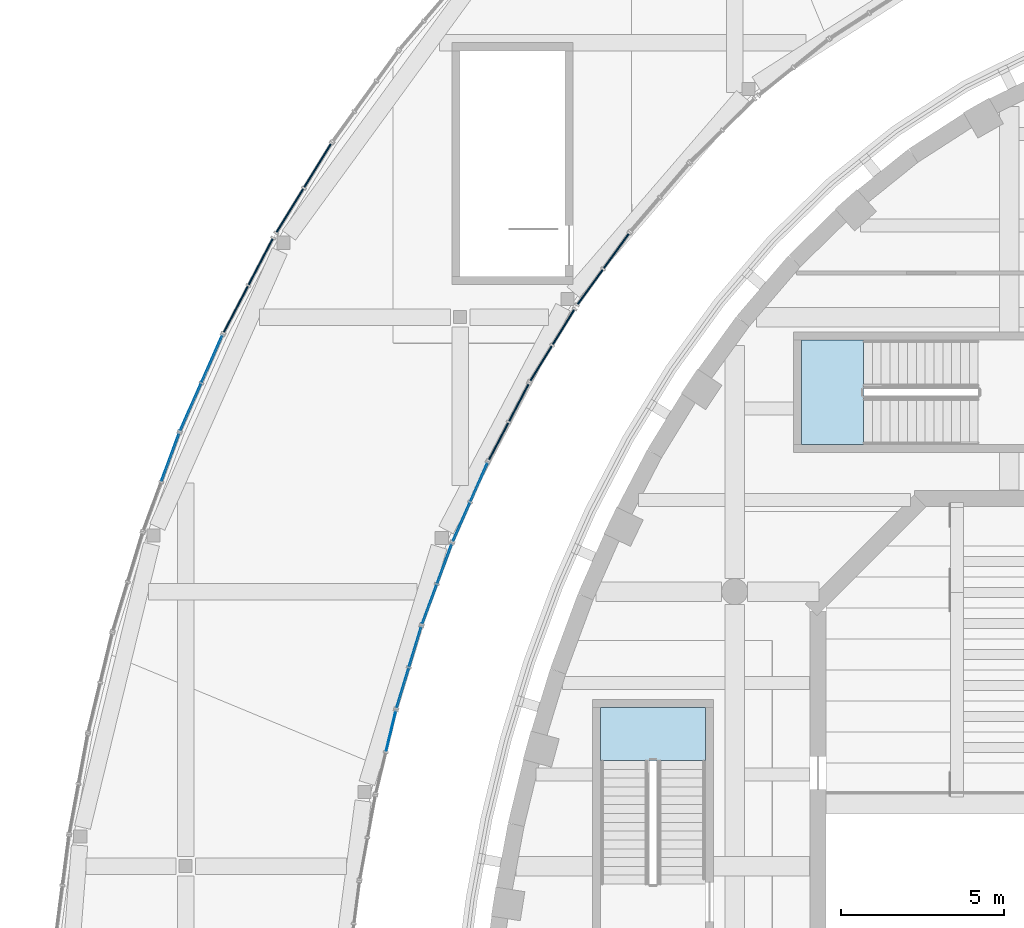
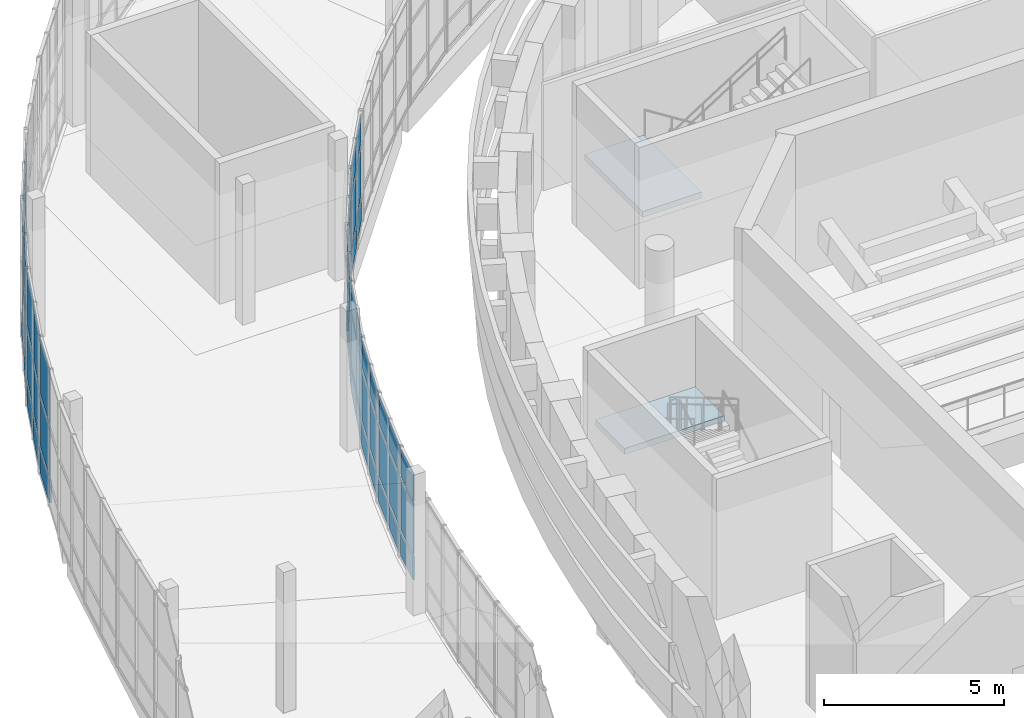
# One storey, part 42 of 103: 60 plates, 2 slabs, 13 elements without a shape of their own.
"""IFC4 building model written with IfcOpenShell, lengths in metres."""

from ifc_helpers import new_model, si_unit, direction, frame, origin, origin_2d, place, context, subcontext, project, spatial, polyline, rectangle, outline, extrude, material, layer, layer_set, type_object, element, aggregate, save


model = new_model("IFC4")

# Units and contexts
model_context = context("Model", 3, precision=1e-05, world=origin(), true_north=direction((0.0, 1.0)))
body_context = subcontext(model_context, "Body", "Model", "MODEL_VIEW")
ifc_project = project(units=[si_unit("LENGTHUNIT", "METRE"), si_unit("AREAUNIT", "SQUARE_METRE"), si_unit("VOLUMEUNIT", "CUBIC_METRE"), si_unit("PLANEANGLEUNIT", "RADIAN"), si_unit("MASSUNIT", "GRAM", prefix="KILO")], contexts=[model_context])

# Site, building, storey
site_placement = place(None, origin())
site = spatial("IfcSite", under=ifc_project, at=site_placement, CompositionType="ELEMENT")
building_placement = place(site_placement, origin())
building = spatial("IfcBuilding", under=site, at=building_placement, Name="Larchfold Concert Hall", CompositionType="ELEMENT")
storey_placement = place(building_placement, frame((0.0, 0.0, 9.60009765625)))
storey = spatial("IfcBuildingStorey", under=building, at=storey_placement, Name="L02", CompositionType="ELEMENT", Elevation=9.60009765625)

# Curtain wall, plates
ifc_material_1 = material(Name="Anodised graphite aluminium curtain wall", Category="aluminium")
ifc_layer_1 = layer(ifc_material_1, 0.14990234375)
ifc_layer_set_1 = layer_set([ifc_layer_1], Name="Anodised graphite aluminium curtain wall")
curtain_wall_type = type_object("IfcCurtainWallType", Name="Curtain wall WG", PredefinedType="NOTDEFINED", material=ifc_layer_set_1)
curtain_wall_1_placement = place(storey_placement, origin())
curtain_wall_1 = element("IfcCurtainWall", 1, at=curtain_wall_1_placement, inside=storey, type_object=curtain_wall_type, Name="Curtain wall CW0228", PredefinedType="NOTDEFINED")
ifc_material_2 = material(Name="Insulated glazing unit, glass", Category="glass")
ifc_layer_2 = layer(ifc_material_2, 0.028076171875)
ifc_layer_set_2 = layer_set([ifc_layer_2], Name="Insulated glazing unit, glass")
plate_type_1 = type_object("IfcPlateType", Name="Glass panel 28", PredefinedType="CURTAIN_PANEL", material=ifc_layer_set_2)
plate_1_placement = place(storey_placement, frame((15.27734375, 97.125, 0.93994140625), z_axis=(0.0, 0.0, 1.0), x_axis=(0.235926027973, 0.97177101692, 0.0)))
plate_1 = element("IfcPlate", 2, at=plate_1_placement, type_object=plate_type_1, Name="CW0228 panel 2.2", PredefinedType="CURTAIN_PANEL", context=body_context, shape_type="SweptSolid", body=[
    extrude(rectangle(XDim=1.24951171875, YDim=0.028076171875, at=origin_2d()), origin(), (0.0, 0.0, 1.0), 1.719970703125),
])
plate_2_placement = place(storey_placement, frame((15.27734375, 97.125, 2.740234375), z_axis=(0.0, 0.0, 1.0), x_axis=(0.235926027973, 0.97177101692, 0.0)))
plate_2 = element("IfcPlate", 3, at=plate_2_placement, type_object=plate_type_1, Name="CW0228 panel 2.3", PredefinedType="CURTAIN_PANEL", context=body_context, shape_type="SweptSolid", body=[
    extrude(rectangle(XDim=1.24951171875, YDim=0.028076171875, at=origin_2d()), origin(), (0.0, 0.0, 1.0), 0.929931640625),
])

curtain_wall_2_placement = place(storey_placement, origin())
curtain_wall_2 = element("IfcCurtainWall", 4, at=curtain_wall_2_placement, inside=storey, type_object=curtain_wall_type, Name="Curtain wall CW0229", PredefinedType="NOTDEFINED")
plate_3_placement = place(storey_placement, frame((15.638671875, 98.447998046875, 0.93994140625), z_axis=(0.0, 0.0, 1.0), x_axis=(0.290561772224, 0.956856236078, 0.0)))
plate_3 = element("IfcPlate", 5, at=plate_3_placement, type_object=plate_type_1, Name="CW0229 panel 1.2", PredefinedType="CURTAIN_PANEL", context=body_context, shape_type="SweptSolid", body=[
    extrude(rectangle(XDim=1.25439453125, YDim=0.028076171875, at=origin_2d()), origin(), (0.0, 0.0, 1.0), 1.719970703125),
])
plate_4_placement = place(storey_placement, frame((15.638671875, 98.447998046875, 2.740234375), z_axis=(0.0, 0.0, 1.0), x_axis=(0.290561772224, 0.956856236078, 0.0)))
plate_4 = element("IfcPlate", 6, at=plate_4_placement, type_object=plate_type_1, Name="CW0229 panel 1.3", PredefinedType="CURTAIN_PANEL", context=body_context, shape_type="SweptSolid", body=[
    extrude(rectangle(XDim=1.25439453125, YDim=0.028076171875, at=origin_2d()), origin(), (0.0, 0.0, 1.0), 0.929931640625),
])
plate_5_placement = place(storey_placement, frame((16.0205078125, 99.705810546875, 0.93994140625), z_axis=(0.0, 0.0, 1.0), x_axis=(0.290561772224, 0.956856236078, 0.0)))
plate_5 = element("IfcPlate", 7, at=plate_5_placement, type_object=plate_type_1, Name="CW0229 panel 2.2", PredefinedType="CURTAIN_PANEL", context=body_context, shape_type="SweptSolid", body=[
    extrude(rectangle(XDim=1.25439453125, YDim=0.028076171875, at=origin_2d()), origin(), (0.0, 0.0, 1.0), 1.719970703125),
])
plate_6_placement = place(storey_placement, frame((16.0205078125, 99.705810546875, 2.740234375), z_axis=(0.0, 0.0, 1.0), x_axis=(0.290561772224, 0.956856236078, 0.0)))
plate_6 = element("IfcPlate", 8, at=plate_6_placement, type_object=plate_type_1, Name="CW0229 panel 2.3", PredefinedType="CURTAIN_PANEL", context=body_context, shape_type="SweptSolid", body=[
    extrude(rectangle(XDim=1.25439453125, YDim=0.028076171875, at=origin_2d()), origin(), (0.0, 0.0, 1.0), 0.929931640625),
])

curtain_wall_3_placement = place(storey_placement, origin())
curtain_wall_3 = element("IfcCurtainWall", 9, at=curtain_wall_3_placement, inside=storey, type_object=curtain_wall_type, Name="Curtain wall CW0230", PredefinedType="NOTDEFINED")
plate_7_placement = place(storey_placement, frame((16.45947265625, 101.010498046875, 0.93994140625), z_axis=(0.0, 0.0, 1.0), x_axis=(0.346631119, 0.938001528432, 0.0)))
plate_7 = element("IfcPlate", 10, at=plate_7_placement, type_object=plate_type_1, Name="CW0230 panel 1.2", PredefinedType="CURTAIN_PANEL", context=body_context, shape_type="SweptSolid", body=[
    extrude(rectangle(XDim=1.26025390625, YDim=0.028076171875, at=origin_2d()), origin(), (0.0, 0.0, 1.0), 1.719970703125),
])
plate_8_placement = place(storey_placement, frame((16.45947265625, 101.010498046875, 2.740234375), z_axis=(0.0, 0.0, 1.0), x_axis=(0.346631119, 0.938001528432, 0.0)))
plate_8 = element("IfcPlate", 11, at=plate_8_placement, type_object=plate_type_1, Name="CW0230 panel 1.3", PredefinedType="CURTAIN_PANEL", context=body_context, shape_type="SweptSolid", body=[
    extrude(rectangle(XDim=1.26025390625, YDim=0.028076171875, at=origin_2d()), origin(), (0.0, 0.0, 1.0), 0.929931640625),
])
plate_9_placement = place(storey_placement, frame((16.9169921875, 102.2490234375, 0.93994140625), z_axis=(0.0, 0.0, 1.0), x_axis=(0.346631119, 0.938001528432, 0.0)))
plate_9 = element("IfcPlate", 12, at=plate_9_placement, type_object=plate_type_1, Name="CW0230 panel 2.2", PredefinedType="CURTAIN_PANEL", context=body_context, shape_type="SweptSolid", body=[
    extrude(rectangle(XDim=1.26025390625, YDim=0.028076171875, at=origin_2d()), origin(), (0.0, 0.0, 1.0), 1.719970703125),
])
plate_10_placement = place(storey_placement, frame((16.9169921875, 102.2490234375, 2.740234375), z_axis=(0.0, 0.0, 1.0), x_axis=(0.346631119, 0.938001528432, 0.0)))
plate_10 = element("IfcPlate", 13, at=plate_10_placement, type_object=plate_type_1, Name="CW0230 panel 2.3", PredefinedType="CURTAIN_PANEL", context=body_context, shape_type="SweptSolid", body=[
    extrude(rectangle(XDim=1.26025390625, YDim=0.028076171875, at=origin_2d()), origin(), (0.0, 0.0, 1.0), 0.929931640625),
])

curtain_wall_4_placement = place(storey_placement, origin())
curtain_wall_4 = element("IfcCurtainWall", 14, at=curtain_wall_4_placement, inside=storey, type_object=curtain_wall_type, Name="Curtain wall CW0231", PredefinedType="NOTDEFINED")
plate_11_placement = place(storey_placement, frame((17.4365234375, 103.53076171875, 0.93994140625), z_axis=(0.0, 0.0, 1.0), x_axis=(0.404034339354, 0.914743818029, 0.0)))
plate_11 = element("IfcPlate", 15, at=plate_11_placement, type_object=plate_type_1, Name="CW0231 panel 1.2", PredefinedType="CURTAIN_PANEL", context=body_context, shape_type="SweptSolid", body=[
    extrude(rectangle(XDim=1.26708984375, YDim=0.028076171875, at=origin_2d()), origin(), (0.0, 0.0, 1.0), 1.719970703125),
])
plate_12_placement = place(storey_placement, frame((17.4365234375, 103.53076171875, 2.740234375), z_axis=(0.0, 0.0, 1.0), x_axis=(0.404034339354, 0.914743818029, 0.0)))
plate_12 = element("IfcPlate", 16, at=plate_12_placement, type_object=plate_type_1, Name="CW0231 panel 1.3", PredefinedType="CURTAIN_PANEL", context=body_context, shape_type="SweptSolid", body=[
    extrude(rectangle(XDim=1.26708984375, YDim=0.028076171875, at=origin_2d()), origin(), (0.0, 0.0, 1.0), 0.929931640625),
])
plate_13_placement = place(storey_placement, frame((17.97265625, 104.74462890625, 0.93994140625), z_axis=(0.0, 0.0, 1.0), x_axis=(0.404034339354, 0.914743818029, 0.0)))
plate_13 = element("IfcPlate", 17, at=plate_13_placement, type_object=plate_type_1, Name="CW0231 panel 2.2", PredefinedType="CURTAIN_PANEL", context=body_context, shape_type="SweptSolid", body=[
    extrude(rectangle(XDim=1.26708984375, YDim=0.028076171875, at=origin_2d()), origin(), (0.0, 0.0, 1.0), 1.719970703125),
])
plate_14_placement = place(storey_placement, frame((17.97265625, 104.74462890625, 2.740234375), z_axis=(0.0, 0.0, 1.0), x_axis=(0.404034339354, 0.914743818029, 0.0)))
plate_14 = element("IfcPlate", 18, at=plate_14_placement, type_object=plate_type_1, Name="CW0231 panel 2.3", PredefinedType="CURTAIN_PANEL", context=body_context, shape_type="SweptSolid", body=[
    extrude(rectangle(XDim=1.26708984375, YDim=0.028076171875, at=origin_2d()), origin(), (0.0, 0.0, 1.0), 0.929931640625),
])

curtain_wall_5_placement = place(storey_placement, origin())
curtain_wall_5 = element("IfcCurtainWall", 19, at=curtain_wall_5_placement, inside=storey, type_object=curtain_wall_type, Name="Curtain wall CW0232", PredefinedType="NOTDEFINED")
plate_15_placement = place(storey_placement, frame((18.576171875, 105.997802734375, 0.93994140625), z_axis=(0.0, 0.0, 1.0), x_axis=(0.46318881793, 0.886259622766, 0.0)))
plate_15 = element("IfcPlate", 20, at=plate_15_placement, type_object=plate_type_1, Name="CW0232 panel 1.2", PredefinedType="CURTAIN_PANEL", context=body_context, shape_type="SweptSolid", body=[
    extrude(rectangle(XDim=1.276123046875, YDim=0.028076171875, at=origin_2d()), origin(), (0.0, 0.0, 1.0), 1.719970703125),
])
plate_16_placement = place(storey_placement, frame((18.576171875, 105.997802734375, 2.740234375), z_axis=(0.0, 0.0, 1.0), x_axis=(0.46318881793, 0.886259622766, 0.0)))
plate_16 = element("IfcPlate", 21, at=plate_16_placement, type_object=plate_type_1, Name="CW0232 panel 1.3", PredefinedType="CURTAIN_PANEL", context=body_context, shape_type="SweptSolid", body=[
    extrude(rectangle(XDim=1.276123046875, YDim=0.028076171875, at=origin_2d()), origin(), (0.0, 0.0, 1.0), 0.929931640625),
])
plate_17_placement = place(storey_placement, frame((19.1953125, 107.18212890625, 0.93994140625), z_axis=(0.0, 0.0, 1.0), x_axis=(0.46318881793, 0.886259622766, 0.0)))
plate_17 = element("IfcPlate", 22, at=plate_17_placement, type_object=plate_type_1, Name="CW0232 panel 2.2", PredefinedType="CURTAIN_PANEL", context=body_context, shape_type="SweptSolid", body=[
    extrude(rectangle(XDim=1.276123046875, YDim=0.028076171875, at=origin_2d()), origin(), (0.0, 0.0, 1.0), 1.719970703125),
])
plate_18_placement = place(storey_placement, frame((19.1953125, 107.18212890625, 2.740234375), z_axis=(0.0, 0.0, 1.0), x_axis=(0.46318881793, 0.886259622766, 0.0)))
plate_18 = element("IfcPlate", 23, at=plate_18_placement, type_object=plate_type_1, Name="CW0232 panel 2.3", PredefinedType="CURTAIN_PANEL", context=body_context, shape_type="SweptSolid", body=[
    extrude(rectangle(XDim=1.276123046875, YDim=0.028076171875, at=origin_2d()), origin(), (0.0, 0.0, 1.0), 0.929931640625),
])

curtain_wall_6_placement = place(storey_placement, origin())
curtain_wall_6 = element("IfcCurtainWall", 24, at=curtain_wall_6_placement, inside=storey, type_object=curtain_wall_type, Name="Curtain wall CW0233", PredefinedType="NOTDEFINED")
plate_19_placement = place(storey_placement, frame((19.87646484375, 108.382568359375, 0.93994140625), z_axis=(0.0, 0.0, 1.0), x_axis=(0.524082134835, 0.851667726257, 0.0)))
plate_19 = element("IfcPlate", 25, at=plate_19_placement, type_object=plate_type_1, Name="CW0233 panel 1.2", PredefinedType="CURTAIN_PANEL", context=body_context, shape_type="SweptSolid", body=[
    extrude(rectangle(XDim=1.246337890625, YDim=0.028076171875, at=origin_2d()), origin(), (0.0, 0.0, 1.0), 1.719970703125),
])
plate_20_placement = place(storey_placement, frame((19.87646484375, 108.382568359375, 2.740234375), z_axis=(0.0, 0.0, 1.0), x_axis=(0.524082134835, 0.851667726257, 0.0)))
plate_20 = element("IfcPlate", 26, at=plate_20_placement, type_object=plate_type_1, Name="CW0233 panel 1.3", PredefinedType="CURTAIN_PANEL", context=body_context, shape_type="SweptSolid", body=[
    extrude(rectangle(XDim=1.246337890625, YDim=0.028076171875, at=origin_2d()), origin(), (0.0, 0.0, 1.0), 0.929931640625),
])
plate_21_placement = place(storey_placement, frame((20.561279296875, 109.4951171875, 0.93994140625), z_axis=(0.0, 0.0, 1.0), x_axis=(0.524082134835, 0.851667726257, 0.0)))
plate_21 = element("IfcPlate", 27, at=plate_21_placement, type_object=plate_type_1, Name="CW0233 panel 2.2", PredefinedType="CURTAIN_PANEL", context=body_context, shape_type="SweptSolid", body=[
    extrude(rectangle(XDim=1.246337890625, YDim=0.028076171875, at=origin_2d()), origin(), (0.0, 0.0, 1.0), 1.719970703125),
])
plate_22_placement = place(storey_placement, frame((20.561279296875, 109.4951171875, 2.740234375), z_axis=(0.0, 0.0, 1.0), x_axis=(0.524082134835, 0.851667726257, 0.0)))
plate_22 = element("IfcPlate", 28, at=plate_22_placement, type_object=plate_type_1, Name="CW0233 panel 2.3", PredefinedType="CURTAIN_PANEL", context=body_context, shape_type="SweptSolid", body=[
    extrude(rectangle(XDim=1.246337890625, YDim=0.028076171875, at=origin_2d()), origin(), (0.0, 0.0, 1.0), 0.929931640625),
])

curtain_wall_7_placement = place(storey_placement, origin())
curtain_wall_7 = element("IfcCurtainWall", 29, at=curtain_wall_7_placement, inside=storey, type_object=curtain_wall_type, Name="Curtain wall CW0234", PredefinedType="NOTDEFINED")
plate_23_placement = place(storey_placement, frame((21.37890625, 110.7216796875, 0.93994140625), z_axis=(0.0, 0.0, 1.0), x_axis=(0.586565502753, 0.809901790947, 0.0)))
plate_23 = element("IfcPlate", 30, at=plate_23_placement, type_object=plate_type_1, Name="CW0234 panel 1.2", PredefinedType="CURTAIN_PANEL", context=body_context, shape_type="SweptSolid", body=[
    extrude(rectangle(XDim=1.29833984375, YDim=0.028076171875, at=origin_2d()), origin(), (0.0, 0.0, 1.0), 1.719970703125),
])
plate_24_placement = place(storey_placement, frame((21.37890625, 110.7216796875, 2.740234375), z_axis=(0.0, 0.0, 1.0), x_axis=(0.586565502753, 0.809901790947, 0.0)))
plate_24 = element("IfcPlate", 31, at=plate_24_placement, type_object=plate_type_1, Name="CW0234 panel 1.3", PredefinedType="CURTAIN_PANEL", context=body_context, shape_type="SweptSolid", body=[
    extrude(rectangle(XDim=1.29833984375, YDim=0.028076171875, at=origin_2d()), origin(), (0.0, 0.0, 1.0), 0.929931640625),
])
plate_25_placement = place(storey_placement, frame((22.175537109375, 111.821533203125, 0.93994140625), z_axis=(0.0, 0.0, 1.0), x_axis=(0.586565502753, 0.809901790947, 0.0)))
plate_25 = element("IfcPlate", 32, at=plate_25_placement, type_object=plate_type_1, Name="CW0234 panel 2.2", PredefinedType="CURTAIN_PANEL", context=body_context, shape_type="SweptSolid", body=[
    extrude(rectangle(XDim=1.29833984375, YDim=0.028076171875, at=origin_2d()), origin(), (0.0, 0.0, 1.0), 1.719970703125),
])
plate_26_placement = place(storey_placement, frame((22.175537109375, 111.821533203125, 2.740234375), z_axis=(0.0, 0.0, 1.0), x_axis=(0.586565502753, 0.809901790947, 0.0)))
plate_26 = element("IfcPlate", 33, at=plate_26_placement, type_object=plate_type_1, Name="CW0234 panel 2.3", PredefinedType="CURTAIN_PANEL", context=body_context, shape_type="SweptSolid", body=[
    extrude(rectangle(XDim=1.29833984375, YDim=0.028076171875, at=origin_2d()), origin(), (0.0, 0.0, 1.0), 0.929931640625),
])

curtain_wall_8_placement = place(storey_placement, origin())
curtain_wall_8 = element("IfcCurtainWall", 34, at=curtain_wall_8_placement, inside=storey, type_object=curtain_wall_type, Name="Curtain wall CW0264", PredefinedType="NOTDEFINED")
plate_27_placement = place(storey_placement, frame((13.03515625, 114.437744140625, 0.93994140625), z_axis=(0.0, 0.0, 1.0), x_axis=(-0.524109846344, -0.851650673085, 0.0)))
plate_27 = element("IfcPlate", 35, at=plate_27_placement, type_object=plate_type_1, Name="CW0264 panel 1.2", PredefinedType="CURTAIN_PANEL", context=body_context, shape_type="SweptSolid", body=[
    extrude(rectangle(XDim=1.554931640625, YDim=0.028076171875, at=origin_2d()), origin(), (0.0, 0.0, 1.0), 1.719970703125),
])
plate_28_placement = place(storey_placement, frame((13.03515625, 114.437744140625, 2.740234375), z_axis=(0.0, 0.0, 1.0), x_axis=(-0.524109846344, -0.851650673085, 0.0)))
plate_28 = element("IfcPlate", 36, at=plate_28_placement, type_object=plate_type_1, Name="CW0264 panel 1.3", PredefinedType="CURTAIN_PANEL", context=body_context, shape_type="SweptSolid", body=[
    extrude(rectangle(XDim=1.554931640625, YDim=0.028076171875, at=origin_2d()), origin(), (0.0, 0.0, 1.0), 1.829833984375),
])
plate_29_placement = place(storey_placement, frame((12.188720703125, 113.0625, 0.93994140625), z_axis=(0.0, 0.0, 1.0), x_axis=(-0.524109846344, -0.851650673085, 0.0)))
plate_29 = element("IfcPlate", 37, at=plate_29_placement, type_object=plate_type_1, Name="CW0264 panel 2.2", PredefinedType="CURTAIN_PANEL", context=body_context, shape_type="SweptSolid", body=[
    extrude(rectangle(XDim=1.554931640625, YDim=0.028076171875, at=origin_2d()), origin(), (0.0, 0.0, 1.0), 1.719970703125),
])
plate_30_placement = place(storey_placement, frame((12.188720703125, 113.0625, 2.740234375), z_axis=(0.0, 0.0, 1.0), x_axis=(-0.524109846344, -0.851650673085, 0.0)))
plate_30 = element("IfcPlate", 38, at=plate_30_placement, type_object=plate_type_1, Name="CW0264 panel 2.3", PredefinedType="CURTAIN_PANEL", context=body_context, shape_type="SweptSolid", body=[
    extrude(rectangle(XDim=1.554931640625, YDim=0.028076171875, at=origin_2d()), origin(), (0.0, 0.0, 1.0), 1.829833984375),
])

curtain_wall_9_placement = place(storey_placement, origin())
curtain_wall_9 = element("IfcCurtainWall", 39, at=curtain_wall_9_placement, inside=storey, type_object=curtain_wall_type, Name="Curtain wall CW0265", PredefinedType="NOTDEFINED")
plate_31_placement = place(storey_placement, frame((11.294189453125, 111.494873046875, 0.93994140625), z_axis=(0.0, 0.0, 1.0), x_axis=(-0.463119946023, -0.886295614113, 0.0)))
plate_31 = element("IfcPlate", 40, at=plate_31_placement, type_object=plate_type_1, Name="CW0265 panel 1.2", PredefinedType="CURTAIN_PANEL", context=body_context, shape_type="SweptSolid", body=[
    extrude(rectangle(XDim=1.58154296875, YDim=0.028076171875, at=origin_2d()), origin(), (0.0, 0.0, 1.0), 1.719970703125),
])
plate_32_placement = place(storey_placement, frame((11.294189453125, 111.494873046875, 2.740234375), z_axis=(0.0, 0.0, 1.0), x_axis=(-0.463119946023, -0.886295614113, 0.0)))
plate_32 = element("IfcPlate", 41, at=plate_32_placement, type_object=plate_type_1, Name="CW0265 panel 1.3", PredefinedType="CURTAIN_PANEL", context=body_context, shape_type="SweptSolid", body=[
    extrude(rectangle(XDim=1.58154296875, YDim=0.028076171875, at=origin_2d()), origin(), (0.0, 0.0, 1.0), 1.829833984375),
])
plate_33_placement = place(storey_placement, frame((10.533935546875, 110.0400390625, 0.93994140625), z_axis=(0.0, 0.0, 1.0), x_axis=(-0.463119946023, -0.886295614113, 0.0)))
plate_33 = element("IfcPlate", 42, at=plate_33_placement, type_object=plate_type_1, Name="CW0265 panel 2.2", PredefinedType="CURTAIN_PANEL", context=body_context, shape_type="SweptSolid", body=[
    extrude(rectangle(XDim=1.58154296875, YDim=0.028076171875, at=origin_2d()), origin(), (0.0, 0.0, 1.0), 1.719970703125),
])
plate_34_placement = place(storey_placement, frame((10.533935546875, 110.0400390625, 2.740234375), z_axis=(0.0, 0.0, 1.0), x_axis=(-0.463119946023, -0.886295614113, 0.0)))
plate_34 = element("IfcPlate", 43, at=plate_34_placement, type_object=plate_type_1, Name="CW0265 panel 2.3", PredefinedType="CURTAIN_PANEL", context=body_context, shape_type="SweptSolid", body=[
    extrude(rectangle(XDim=1.58154296875, YDim=0.028076171875, at=origin_2d()), origin(), (0.0, 0.0, 1.0), 1.829833984375),
])

curtain_wall_10_placement = place(storey_placement, origin())
curtain_wall_10 = element("IfcCurtainWall", 44, at=curtain_wall_10_placement, inside=storey, type_object=curtain_wall_type, Name="Curtain wall CW0266", PredefinedType="NOTDEFINED")
plate_35_placement = place(storey_placement, frame((9.801513671875, 108.52001953125, 0.93994140625), z_axis=(0.0, 0.0, 1.0), x_axis=(-0.404126294549, -0.914703196701, 0.0)))
plate_35 = element("IfcPlate", 45, at=plate_35_placement, type_object=plate_type_1, Name="CW0266 panel 1.2", PredefinedType="CURTAIN_PANEL", context=body_context, shape_type="SweptSolid", body=[
    extrude(rectangle(XDim=1.554443359375, YDim=0.028076171875, at=origin_2d()), origin(), (0.0, 0.0, 1.0), 1.719970703125),
])
plate_36_placement = place(storey_placement, frame((9.801513671875, 108.52001953125, 2.740234375), z_axis=(0.0, 0.0, 1.0), x_axis=(-0.404126294549, -0.914703196701, 0.0)))
plate_36 = element("IfcPlate", 46, at=plate_36_placement, type_object=plate_type_1, Name="CW0266 panel 1.3", PredefinedType="CURTAIN_PANEL", context=body_context, shape_type="SweptSolid", body=[
    extrude(rectangle(XDim=1.554443359375, YDim=0.028076171875, at=origin_2d()), origin(), (0.0, 0.0, 1.0), 1.829833984375),
])
plate_37_placement = place(storey_placement, frame((9.149169921875, 107.04345703125, 0.93994140625), z_axis=(0.0, 0.0, 1.0), x_axis=(-0.404126294549, -0.914703196701, 0.0)))
plate_37 = element("IfcPlate", 47, at=plate_37_placement, type_object=plate_type_1, Name="CW0266 panel 2.2", PredefinedType="CURTAIN_PANEL", context=body_context, shape_type="SweptSolid", body=[
    extrude(rectangle(XDim=1.554443359375, YDim=0.028076171875, at=origin_2d()), origin(), (0.0, 0.0, 1.0), 1.719970703125),
])
plate_38_placement = place(storey_placement, frame((9.149169921875, 107.04345703125, 2.740234375), z_axis=(0.0, 0.0, 1.0), x_axis=(-0.404126294549, -0.914703196701, 0.0)))
plate_38 = element("IfcPlate", 48, at=plate_38_placement, type_object=plate_type_1, Name="CW0266 panel 2.3", PredefinedType="CURTAIN_PANEL", context=body_context, shape_type="SweptSolid", body=[
    extrude(rectangle(XDim=1.554443359375, YDim=0.028076171875, at=origin_2d()), origin(), (0.0, 0.0, 1.0), 1.829833984375),
])

curtain_wall_11_placement = place(storey_placement, origin())
curtain_wall_11 = element("IfcCurtainWall", 49, at=curtain_wall_11_placement, inside=storey, type_object=curtain_wall_type, Name="Curtain wall CW0267", PredefinedType="NOTDEFINED")
plate_39_placement = place(storey_placement, frame((8.5244140625, 105.50244140625, 0.93994140625), z_axis=(0.0, 0.0, 1.0), x_axis=(-0.346594033327, -0.938015232319, 0.0)))
plate_39 = element("IfcPlate", 50, at=plate_39_placement, type_object=plate_type_1, Name="CW0267 panel 1.2", PredefinedType="CURTAIN_PANEL", context=body_context, shape_type="SweptSolid", body=[
    extrude(rectangle(XDim=1.532958984375, YDim=0.028076171875, at=origin_2d()), origin(), (0.0, 0.0, 1.0), 1.719970703125),
])
plate_40_placement = place(storey_placement, frame((8.5244140625, 105.50244140625, 2.740234375), z_axis=(0.0, 0.0, 1.0), x_axis=(-0.346594033327, -0.938015232319, 0.0)))
plate_40 = element("IfcPlate", 51, at=plate_40_placement, type_object=plate_type_1, Name="CW0267 panel 1.3", PredefinedType="CURTAIN_PANEL", context=body_context, shape_type="SweptSolid", body=[
    extrude(rectangle(XDim=1.532958984375, YDim=0.028076171875, at=origin_2d()), origin(), (0.0, 0.0, 1.0), 1.829833984375),
])

# Plate
ifc_material_3 = material(Name="White insulated panel")
ifc_layer_3 = layer(ifc_material_3, 0.06005859375)
ifc_layer_set_3 = layer_set([ifc_layer_3], Name="White insulated panel")
plate_type_2 = type_object("IfcPlateType", Name="Insulated spandrel panel 60", PredefinedType="CURTAIN_PANEL", material=ifc_layer_set_3)
plate_41_placement = place(storey_placement, frame((15.27734375, 97.125, 0.080078125), z_axis=(0.0, 0.0, 1.0), x_axis=(0.235926027973, 0.97177101692, 0.0)))
plate_41 = element("IfcPlate", 52, at=plate_41_placement, type_object=plate_type_2, Name="CW0228 panel 2.1", PredefinedType="CURTAIN_PANEL", context=body_context, shape_type="SweptSolid", body=[
    extrude(rectangle(XDim=1.24951171875, YDim=0.06005859375, at=origin_2d()), origin(), (0.0, 0.0, 1.0), 0.77978515625),
])

aggregate(curtain_wall_1, [plate_41, plate_1, plate_2])

plate_42_placement = place(storey_placement, frame((15.638671875, 98.447998046875, 0.080078125), z_axis=(0.0, 0.0, 1.0), x_axis=(0.290561772224, 0.956856236078, 0.0)))
plate_42 = element("IfcPlate", 53, at=plate_42_placement, type_object=plate_type_2, Name="CW0229 panel 1.1", PredefinedType="CURTAIN_PANEL", context=body_context, shape_type="SweptSolid", body=[
    extrude(rectangle(XDim=1.25439453125, YDim=0.06005859375, at=origin_2d()), origin(), (0.0, 0.0, 1.0), 0.77978515625),
])

plate_43_placement = place(storey_placement, frame((16.0205078125, 99.705810546875, 0.080078125), z_axis=(0.0, 0.0, 1.0), x_axis=(0.290561772224, 0.956856236078, 0.0)))
plate_43 = element("IfcPlate", 54, at=plate_43_placement, type_object=plate_type_2, Name="CW0229 panel 2.1", PredefinedType="CURTAIN_PANEL", context=body_context, shape_type="SweptSolid", body=[
    extrude(rectangle(XDim=1.25439453125, YDim=0.06005859375, at=origin_2d()), origin(), (0.0, 0.0, 1.0), 0.77978515625),
])

aggregate(curtain_wall_2, [plate_42, plate_3, plate_4, plate_43, plate_5, plate_6])

plate_44_placement = place(storey_placement, frame((16.45947265625, 101.010498046875, 0.080078125), z_axis=(0.0, 0.0, 1.0), x_axis=(0.346631119, 0.938001528432, 0.0)))
plate_44 = element("IfcPlate", 55, at=plate_44_placement, type_object=plate_type_2, Name="CW0230 panel 1.1", PredefinedType="CURTAIN_PANEL", context=body_context, shape_type="SweptSolid", body=[
    extrude(rectangle(XDim=1.26025390625, YDim=0.06005859375, at=origin_2d()), origin(), (0.0, 0.0, 1.0), 0.77978515625),
])

plate_45_placement = place(storey_placement, frame((16.9169921875, 102.2490234375, 0.080078125), z_axis=(0.0, 0.0, 1.0), x_axis=(0.346631119, 0.938001528432, 0.0)))
plate_45 = element("IfcPlate", 56, at=plate_45_placement, type_object=plate_type_2, Name="CW0230 panel 2.1", PredefinedType="CURTAIN_PANEL", context=body_context, shape_type="SweptSolid", body=[
    extrude(rectangle(XDim=1.26025390625, YDim=0.06005859375, at=origin_2d()), origin(), (0.0, 0.0, 1.0), 0.77978515625),
])

aggregate(curtain_wall_3, [plate_44, plate_7, plate_8, plate_45, plate_9, plate_10])

plate_46_placement = place(storey_placement, frame((17.4365234375, 103.53076171875, 0.080078125), z_axis=(0.0, 0.0, 1.0), x_axis=(0.404034339354, 0.914743818029, 0.0)))
plate_46 = element("IfcPlate", 57, at=plate_46_placement, type_object=plate_type_2, Name="CW0231 panel 1.1", PredefinedType="CURTAIN_PANEL", context=body_context, shape_type="SweptSolid", body=[
    extrude(rectangle(XDim=1.26708984375, YDim=0.06005859375, at=origin_2d()), origin(), (0.0, 0.0, 1.0), 0.77978515625),
])

plate_47_placement = place(storey_placement, frame((17.97265625, 104.74462890625, 0.080078125), z_axis=(0.0, 0.0, 1.0), x_axis=(0.404034339354, 0.914743818029, 0.0)))
plate_47 = element("IfcPlate", 58, at=plate_47_placement, type_object=plate_type_2, Name="CW0231 panel 2.1", PredefinedType="CURTAIN_PANEL", context=body_context, shape_type="SweptSolid", body=[
    extrude(rectangle(XDim=1.26708984375, YDim=0.06005859375, at=origin_2d()), origin(), (0.0, 0.0, 1.0), 0.77978515625),
])

aggregate(curtain_wall_4, [plate_46, plate_11, plate_12, plate_47, plate_13, plate_14])

plate_48_placement = place(storey_placement, frame((18.576171875, 105.997802734375, 0.080078125), z_axis=(0.0, 0.0, 1.0), x_axis=(0.46318881793, 0.886259622766, 0.0)))
plate_48 = element("IfcPlate", 59, at=plate_48_placement, type_object=plate_type_2, Name="CW0232 panel 1.1", PredefinedType="CURTAIN_PANEL", context=body_context, shape_type="SweptSolid", body=[
    extrude(rectangle(XDim=1.276123046875, YDim=0.06005859375, at=origin_2d()), origin(), (0.0, 0.0, 1.0), 0.77978515625),
])

plate_49_placement = place(storey_placement, frame((19.1953125, 107.18212890625, 0.080078125), z_axis=(0.0, 0.0, 1.0), x_axis=(0.46318881793, 0.886259622766, 0.0)))
plate_49 = element("IfcPlate", 60, at=plate_49_placement, type_object=plate_type_2, Name="CW0232 panel 2.1", PredefinedType="CURTAIN_PANEL", context=body_context, shape_type="SweptSolid", body=[
    extrude(rectangle(XDim=1.276123046875, YDim=0.06005859375, at=origin_2d()), origin(), (0.0, 0.0, 1.0), 0.77978515625),
])

aggregate(curtain_wall_5, [plate_48, plate_15, plate_16, plate_49, plate_17, plate_18])

plate_50_placement = place(storey_placement, frame((19.87646484375, 108.382568359375, 0.080078125), z_axis=(0.0, 0.0, 1.0), x_axis=(0.524082134835, 0.851667726257, 0.0)))
plate_50 = element("IfcPlate", 61, at=plate_50_placement, type_object=plate_type_2, Name="CW0233 panel 1.1", PredefinedType="CURTAIN_PANEL", context=body_context, shape_type="SweptSolid", body=[
    extrude(rectangle(XDim=1.246337890625, YDim=0.06005859375, at=origin_2d()), origin(), (0.0, 0.0, 1.0), 0.77978515625),
])

plate_51_placement = place(storey_placement, frame((20.561279296875, 109.4951171875, 0.080078125), z_axis=(0.0, 0.0, 1.0), x_axis=(0.524082134835, 0.851667726257, 0.0)))
plate_51 = element("IfcPlate", 62, at=plate_51_placement, type_object=plate_type_2, Name="CW0233 panel 2.1", PredefinedType="CURTAIN_PANEL", context=body_context, shape_type="SweptSolid", body=[
    extrude(rectangle(XDim=1.246337890625, YDim=0.06005859375, at=origin_2d()), origin(), (0.0, 0.0, 1.0), 0.77978515625),
])

aggregate(curtain_wall_6, [plate_50, plate_19, plate_20, plate_51, plate_21, plate_22])

plate_52_placement = place(storey_placement, frame((21.37890625, 110.7216796875, 0.080078125), z_axis=(0.0, 0.0, 1.0), x_axis=(0.586565502753, 0.809901790947, 0.0)))
plate_52 = element("IfcPlate", 63, at=plate_52_placement, type_object=plate_type_2, Name="CW0234 panel 1.1", PredefinedType="CURTAIN_PANEL", context=body_context, shape_type="SweptSolid", body=[
    extrude(rectangle(XDim=1.29833984375, YDim=0.06005859375, at=origin_2d()), origin(), (0.0, 0.0, 1.0), 0.77978515625),
])

plate_53_placement = place(storey_placement, frame((22.175537109375, 111.821533203125, 0.080078125), z_axis=(0.0, 0.0, 1.0), x_axis=(0.586565502753, 0.809901790947, 0.0)))
plate_53 = element("IfcPlate", 64, at=plate_53_placement, type_object=plate_type_2, Name="CW0234 panel 2.1", PredefinedType="CURTAIN_PANEL", context=body_context, shape_type="SweptSolid", body=[
    extrude(rectangle(XDim=1.29833984375, YDim=0.06005859375, at=origin_2d()), origin(), (0.0, 0.0, 1.0), 0.77978515625),
])

aggregate(curtain_wall_7, [plate_52, plate_23, plate_24, plate_53, plate_25, plate_26])

plate_54_placement = place(storey_placement, frame((13.03515625, 114.437744140625, 0.080078125), z_axis=(0.0, 0.0, 1.0), x_axis=(-0.524109846344, -0.851650673085, 0.0)))
plate_54 = element("IfcPlate", 65, at=plate_54_placement, type_object=plate_type_2, Name="CW0264 panel 1.1", PredefinedType="CURTAIN_PANEL", context=body_context, shape_type="SweptSolid", body=[
    extrude(rectangle(XDim=1.554931640625, YDim=0.06005859375, at=origin_2d()), origin(), (0.0, 0.0, 1.0), 0.77978515625),
])

plate_55_placement = place(storey_placement, frame((12.188720703125, 113.0625, 0.080078125), z_axis=(0.0, 0.0, 1.0), x_axis=(-0.524109846344, -0.851650673085, 0.0)))
plate_55 = element("IfcPlate", 66, at=plate_55_placement, type_object=plate_type_2, Name="CW0264 panel 2.1", PredefinedType="CURTAIN_PANEL", context=body_context, shape_type="SweptSolid", body=[
    extrude(rectangle(XDim=1.554931640625, YDim=0.06005859375, at=origin_2d()), origin(), (0.0, 0.0, 1.0), 0.77978515625),
])

aggregate(curtain_wall_8, [plate_54, plate_27, plate_28, plate_55, plate_29, plate_30])

plate_56_placement = place(storey_placement, frame((11.294189453125, 111.494873046875, 0.080078125), z_axis=(0.0, 0.0, 1.0), x_axis=(-0.463119946023, -0.886295614113, 0.0)))
plate_56 = element("IfcPlate", 67, at=plate_56_placement, type_object=plate_type_2, Name="CW0265 panel 1.1", PredefinedType="CURTAIN_PANEL", context=body_context, shape_type="SweptSolid", body=[
    extrude(rectangle(XDim=1.58154296875, YDim=0.06005859375, at=origin_2d()), origin(), (0.0, 0.0, 1.0), 0.77978515625),
])

plate_57_placement = place(storey_placement, frame((10.533935546875, 110.0400390625, 0.080078125), z_axis=(0.0, 0.0, 1.0), x_axis=(-0.463119946023, -0.886295614113, 0.0)))
plate_57 = element("IfcPlate", 68, at=plate_57_placement, type_object=plate_type_2, Name="CW0265 panel 2.1", PredefinedType="CURTAIN_PANEL", context=body_context, shape_type="SweptSolid", body=[
    extrude(rectangle(XDim=1.58154296875, YDim=0.06005859375, at=origin_2d()), origin(), (0.0, 0.0, 1.0), 0.77978515625),
])

aggregate(curtain_wall_9, [plate_56, plate_31, plate_32, plate_57, plate_33, plate_34])

plate_58_placement = place(storey_placement, frame((9.801513671875, 108.52001953125, 0.080078125), z_axis=(0.0, 0.0, 1.0), x_axis=(-0.404126294549, -0.914703196701, 0.0)))
plate_58 = element("IfcPlate", 69, at=plate_58_placement, type_object=plate_type_2, Name="CW0266 panel 1.1", PredefinedType="CURTAIN_PANEL", context=body_context, shape_type="SweptSolid", body=[
    extrude(rectangle(XDim=1.554443359375, YDim=0.06005859375, at=origin_2d()), origin(), (0.0, 0.0, 1.0), 0.77978515625),
])

plate_59_placement = place(storey_placement, frame((9.149169921875, 107.04345703125, 0.080078125), z_axis=(0.0, 0.0, 1.0), x_axis=(-0.404126294549, -0.914703196701, 0.0)))
plate_59 = element("IfcPlate", 70, at=plate_59_placement, type_object=plate_type_2, Name="CW0266 panel 2.1", PredefinedType="CURTAIN_PANEL", context=body_context, shape_type="SweptSolid", body=[
    extrude(rectangle(XDim=1.554443359375, YDim=0.06005859375, at=origin_2d()), origin(), (0.0, 0.0, 1.0), 0.77978515625),
])

aggregate(curtain_wall_10, [plate_58, plate_35, plate_36, plate_59, plate_37, plate_38])

plate_60_placement = place(storey_placement, frame((8.5244140625, 105.50244140625, 0.080078125), z_axis=(0.0, 0.0, 1.0), x_axis=(-0.346594033327, -0.938015232319, 0.0)))
plate_60 = element("IfcPlate", 71, at=plate_60_placement, type_object=plate_type_2, Name="CW0267 panel 1.1", PredefinedType="CURTAIN_PANEL", context=body_context, shape_type="SweptSolid", body=[
    extrude(rectangle(XDim=1.532958984375, YDim=0.06005859375, at=origin_2d()), origin(), (0.0, 0.0, 1.0), 0.77978515625),
])

aggregate(curtain_wall_11, [plate_60, plate_39, plate_40])

# Stair, slab
ifc_material_4 = material(Name="Concrete C35/45", Category="concrete")
stair_type = type_object("IfcStairType", Name="Stair RC half-turn enclosed", PredefinedType="HALF_TURN_STAIR", material=ifc_material_4)
stair_1_placement = place(storey_placement, origin())
stair_1 = element("IfcStair", 72, at=stair_1_placement, inside=storey, type_object=stair_type, Name="Stair DS3", PredefinedType="HALF_TURN_STAIR")
ifc_material_5 = material(Name="Concrete C35/45", Category="concrete")
ifc_layer_4 = layer(ifc_material_5, 0.199951171875)
ifc_layer_set_4 = layer_set([ifc_layer_4], Name="Concrete C35/45")
slab_type = type_object("IfcSlabType", Name="Stair landing RC 200", PredefinedType="LANDING", material=ifc_layer_set_4)
slab_1_placement = place(storey_placement, frame((0.0, 0.0, 2.199951171875)))
slab_1 = element("IfcSlab", 73, at=slab_1_placement, type_object=slab_type, Name="ST03 landing 1", PredefinedType="LANDING", context=body_context, shape_type="SweptSolid", body=[
    extrude(outline(polyline([(29.739990234375, 109.10009765625), (27.85009765625, 109.10009765625), (27.85009765625, 105.900146484375), (29.739990234375, 105.900146484375), (29.739990234375, 109.10009765625)])), origin(), (0.0, 0.0, 1.0), 0.199951171875),
])
aggregate(stair_1, [slab_1])

stair_2_placement = place(storey_placement, origin())
stair_2 = element("IfcStair", 74, at=stair_2_placement, inside=storey, type_object=stair_type, Name="Stair DS4", PredefinedType="HALF_TURN_STAIR")
slab_2_placement = place(storey_placement, frame((0.0, 0.0, 2.199951171875)))
slab_2 = element("IfcSlab", 75, at=slab_2_placement, type_object=slab_type, Name="ST04 landing 1", PredefinedType="LANDING", context=body_context, shape_type="SweptSolid", body=[
    extrude(outline(polyline([(24.89990234375, 96.22998046875), (24.89990234375, 97.85009765625), (21.699951171875, 97.85009765625), (21.699951171875, 96.22998046875), (24.89990234375, 96.22998046875)])), origin(), (0.0, 0.0, 1.0), 0.199951171875),
])
aggregate(stair_2, [slab_2])

save(model, "model.ifc")
